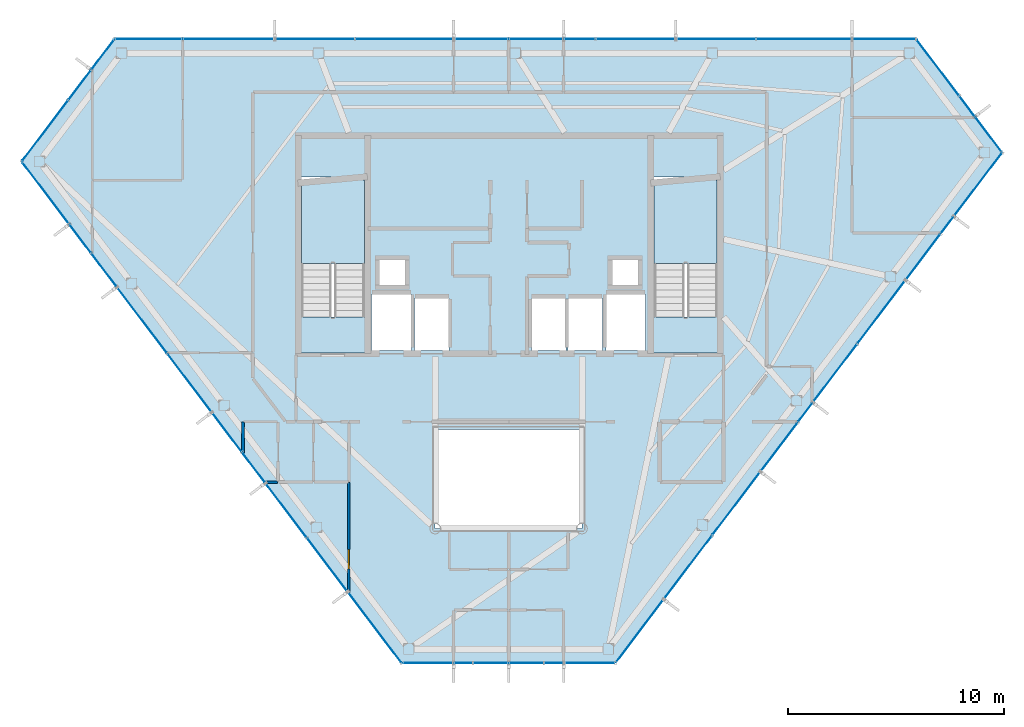
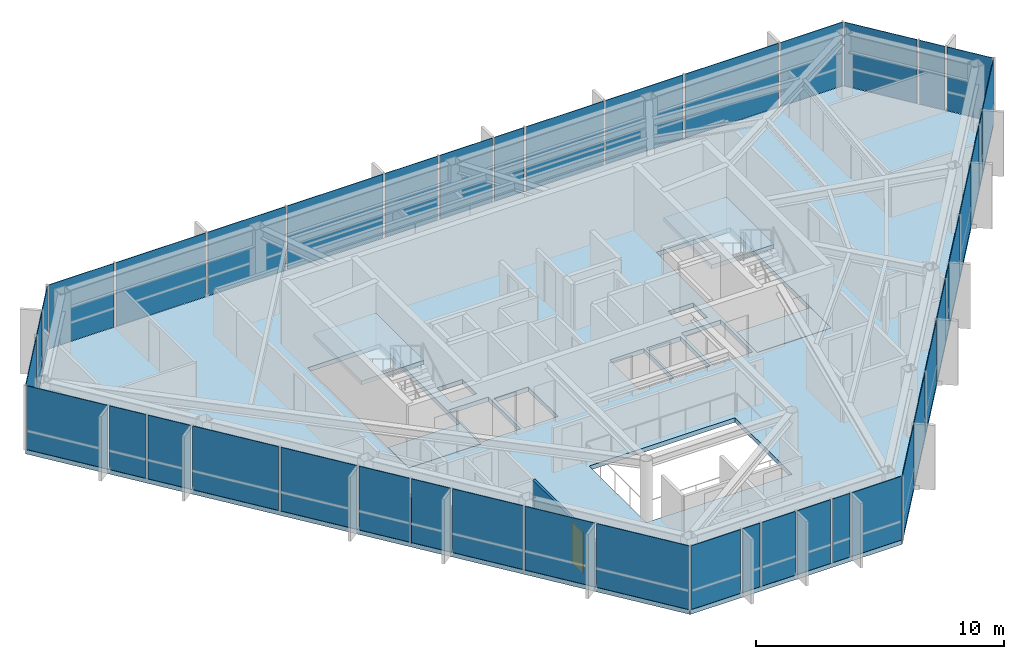
# One storey, part 21 of 26: 43 plates, 5 slabs, 3 walls, 1 door, 1 opening, 8 elements without a shape of their own.
"""IFC4 building model written with IfcOpenShell, lengths in metres."""

import ifcopenshell
import ifcopenshell.guid

model = None  # the IFC model being written
_history = None  # IfcOwnerHistory: only IFC2X3 demands one
_inside = {}  # id of a spatial element -> (the spatial element, [elements in it])
_under = {}  # id of a project, library or spatial element -> (it, [spatial elements below it])
_declared = {}  # id of a project -> (the project, [libraries it declares])
_typed = {}  # id of a type object -> (the type object, [elements of that type])
_made_of = {}  # id of a material, layer set ... -> (it, [elements and type objects made of it])


def new_model(schema):
    """Start an empty IFC model of exactly this schema.

    Asked for "IFC4X3", IfcOpenShell would pick the latest addendum, in which some entities
    have other attributes; the version numbers below select the first issue.
    IFC2X3 requires an IfcOwnerHistory on every rooted entity: one is made here for all.
    """
    global model, _history
    if schema == "IFC4X3":
        model = ifcopenshell.file(schema_version=(4, 3, 0, 0))
    else:
        model = ifcopenshell.file(schema=schema)
    _inside.clear()
    _under.clear()
    _declared.clear()
    _typed.clear()
    _made_of.clear()
    _history = None
    if model.schema == "IFC2X3":
        org = make("IfcOrganization", Name="unknown")
        user = make(
            "IfcPersonAndOrganization",
            ThePerson=make("IfcPerson", FamilyName="unknown"),
            TheOrganization=org,
        )
        app = make(
            "IfcApplication",
            ApplicationDeveloper=org,
            Version="unknown",
            ApplicationFullName="unknown",
            ApplicationIdentifier="unknown",
        )
        _history = make(
            "IfcOwnerHistory",
            OwningUser=user,
            OwningApplication=app,
            ChangeAction="ADDED",
            CreationDate=0,
        )
    return model


def make(cls, **values):
    """One entity of the class cls with the attributes given. An attribute that is None is left unset."""
    return model.create_entity(
        cls, **{name: value for name, value in values.items() if value is not None}
    )


def rooted(cls, **values):
    """An entity with a GlobalId (a new one), such as an element, a storey or a relation."""
    return make(cls, GlobalId=ifcopenshell.guid.new(), OwnerHistory=_history, **values)


def si_unit(unit_type, name, prefix=None):
    """IfcSIUnit, for example si_unit("LENGTHUNIT", "METRE", prefix="MILLI")."""
    return make("IfcSIUnit", UnitType=unit_type, Prefix=prefix, Name=name)


def assignment(units):
    """IfcUnitAssignment: the units of a project."""
    return None if units is None else make("IfcUnitAssignment", Units=units)


def point(xyz):
    """IfcCartesianPoint."""
    return None if xyz is None else make("IfcCartesianPoint", Coordinates=xyz)


def direction(xyz):
    """IfcDirection."""
    return None if xyz is None else make("IfcDirection", DirectionRatios=xyz)


def frame(location, z_axis=None, x_axis=None):
    """IfcAxis2Placement3D, a coordinate frame: its origin and axes. An axis left out is left unset."""
    return make(
        "IfcAxis2Placement3D",
        Location=point(location),
        Axis=direction(z_axis),
        RefDirection=direction(x_axis),
    )


def frame_2d(location, x_axis=None):
    """IfcAxis2Placement2D, a coordinate frame in the plane: its origin and x axis."""
    return make(
        "IfcAxis2Placement2D", Location=point(location), RefDirection=direction(x_axis)
    )


def origin():
    """The frame at (0, 0, 0) with its axes left unset."""
    return frame((0.0, 0.0, 0.0))


def origin_2d():
    """The frame at (0, 0) in the plane with its x axis left unset."""
    return frame_2d((0.0, 0.0))


def place(relative_to, where):
    """IfcLocalPlacement: puts the frame where relative to a parent placement (None: the world)."""
    return make(
        "IfcLocalPlacement", PlacementRelTo=relative_to, RelativePlacement=where
    )


def context(
    kind, dimensions, precision=None, world=None, true_north=None, identifier=None
):
    """IfcGeometricRepresentationContext, for example the 3D "Model" context."""
    return make(
        "IfcGeometricRepresentationContext",
        ContextIdentifier=identifier,
        ContextType=kind,
        CoordinateSpaceDimension=dimensions,
        Precision=precision,
        WorldCoordinateSystem=world,
        TrueNorth=true_north,
    )


def subcontext(parent, identifier, kind, view, scale=None):
    """IfcGeometricRepresentationSubContext, for example "Body" below "Model"."""
    return make(
        "IfcGeometricRepresentationSubContext",
        ContextIdentifier=identifier,
        ContextType=kind,
        ParentContext=parent,
        TargetScale=scale,
        TargetView=view,
    )


def project(units=None, contexts=None):
    """IfcProject with its units and contexts."""
    return rooted(
        "IfcProject",
        Name="project",
        RepresentationContexts=contexts,
        UnitsInContext=assignment(units),
    )


def spatial(cls, under=None, at=None, **own):
    """A site, building, storey or space (cls), placed at a placement, below another one or the project."""
    s = rooted(cls, ObjectPlacement=at, **own)
    if under is not None:
        _under.setdefault(under.id(), (under, []))[1].append(s)
    return s


def polyline(points):
    """IfcPolyline through the points."""
    return make("IfcPolyline", Points=[point(p) for p in points])


def profile(cls, at=None, kind="AREA", **sizes):
    """A parametric profile (cls). Its sizes go by their IFC names, for example OverallWidth=200.0."""
    return make(cls, ProfileType=kind, Position=at, **sizes)


def rectangle(**sizes):
    """IfcRectangleProfileDef."""
    return profile("IfcRectangleProfileDef", **sizes)


def outline(outer, holes=None, kind="AREA"):
    """IfcArbitraryClosedProfileDef: a profile drawn as a closed curve; with holes, ...WithVoids."""
    if holes is None:
        return make("IfcArbitraryClosedProfileDef", ProfileType=kind, OuterCurve=outer)
    return make(
        "IfcArbitraryProfileDefWithVoids",
        ProfileType=kind,
        OuterCurve=outer,
        InnerCurves=holes,
    )


def extrude(swept, where, along, depth):
    """IfcExtrudedAreaSolid: the profile swept, set in the frame where, extruded along a direction by depth."""
    return make(
        "IfcExtrudedAreaSolid",
        SweptArea=swept,
        Position=where,
        ExtrudedDirection=direction(along),
        Depth=depth,
    )


def shape(context_of_items, identifier, shape_type, items):
    """IfcShapeRepresentation: the items that make up one representation, for example the "Body"."""
    return make(
        "IfcShapeRepresentation",
        ContextOfItems=context_of_items,
        RepresentationIdentifier=identifier,
        RepresentationType=shape_type,
        Items=items,
    )


def material(Name=None, Category=None):
    """IfcMaterial."""
    return make("IfcMaterial", Name=Name, Category=Category)


def layer(
    of_material, thickness, ventilated=None, Name=None, Category=None, Priority=None
):
    """IfcMaterialLayer: one layer of a wall or slab, of a material (None: an air gap)."""
    return make(
        "IfcMaterialLayer",
        Material=of_material,
        LayerThickness=thickness,
        IsVentilated=ventilated,
        Name=Name,
        Category=Category,
        Priority=Priority,
    )


def layer_set(layers, Name=None):
    """IfcMaterialLayerSet."""
    return make("IfcMaterialLayerSet", MaterialLayers=layers, LayerSetName=Name)


def made_of(thing, what):
    """Note that an element or type object is made of a material, layer set ...; save() writes the relation."""
    if what is not None:
        _made_of.setdefault(what.id(), (what, []))[1].append(thing)
    return thing


def type_object(cls, material=None, **own):
    """A type object (cls), such as IfcWallType, which elements share."""
    return made_of(rooted(cls, **own), material)


def element(
    cls,
    number,
    at=None,
    inside=None,
    cuts=None,
    type_object=None,
    material=None,
    context=None,
    identifier="Body",
    shape_type=None,
    held_by="IfcProductDefinitionShape",
    body=None,
    shapes=None,
    **own,
):
    """One element of the class cls, such as IfcWall. Its Tag is "e" and its number.

    at: its placement. inside: the storey or other place that contains it. cuts: it is an
    opening in that element (IfcRelVoidsElement). A single representation is given by context,
    identifier, shape_type and body (its items); several are given by shapes. held_by: the class
    of the entity that holds the representations. save() writes the other relations.
    """
    e = rooted(cls, Tag="e%d" % number, ObjectPlacement=at, **own)
    if body is not None:
        shapes = [shape(context, identifier, shape_type, body)]
    if shapes is not None:
        e.Representation = make(held_by, Representations=shapes)
    if inside is not None:
        _inside.setdefault(inside.id(), (inside, []))[1].append(e)
    if cuts is not None:
        rooted(
            "IfcRelVoidsElement", RelatingBuildingElement=cuts, RelatedOpeningElement=e
        )
    if type_object is not None:
        _typed.setdefault(type_object.id(), (type_object, []))[1].append(e)
    return made_of(e, material)


def fill(opening, filler):
    """IfcRelFillsElement: the door or window that sits in an opening."""
    return rooted(
        "IfcRelFillsElement",
        RelatingOpeningElement=opening,
        RelatedBuildingElement=filler,
    )


def aggregate(whole, parts):
    """IfcRelAggregates: a whole, such as a stair, and the parts it consists of."""
    return rooted("IfcRelAggregates", RelatingObject=whole, RelatedObjects=parts)


def save(model, path):
    """Write the relations noted so far, then the file.

    IfcRelAggregates (storeys below a building ...), IfcRelContainedInSpatialStructure (elements
    in a storey), IfcRelDefinesByType, IfcRelAssociatesMaterial and IfcRelDeclares: one each for
    every whole, place, type object, material and project.
    """
    for whole, parts in _under.values():
        aggregate(whole, parts)
    for where, things in _inside.values():
        rooted(
            "IfcRelContainedInSpatialStructure",
            RelatedElements=things,
            RelatingStructure=where,
        )
    for kind, things in _typed.values():
        rooted("IfcRelDefinesByType", RelatedObjects=things, RelatingType=kind)
    for what, things in _made_of.values():
        rooted("IfcRelAssociatesMaterial", RelatedObjects=things, RelatingMaterial=what)
    for by, libraries in _declared.values():
        rooted("IfcRelDeclares", RelatingContext=by, RelatedDefinitions=libraries)
    model.write(path)


model = new_model("IFC4")

# Units and contexts
model_context = context("Model", 3, precision=1e-05, world=origin(), true_north=direction((0.0, 1.0)))
body_context = subcontext(model_context, "Body", "Model", "MODEL_VIEW")
ifc_project = project(units=[si_unit("LENGTHUNIT", "METRE"), si_unit("AREAUNIT", "SQUARE_METRE"), si_unit("VOLUMEUNIT", "CUBIC_METRE"), si_unit("PLANEANGLEUNIT", "RADIAN"), si_unit("MASSUNIT", "GRAM", prefix="KILO")], contexts=[model_context])

# Site, building, storey
site_placement = place(None, origin())
site = spatial("IfcSite", under=ifc_project, at=site_placement, CompositionType="ELEMENT")
building_placement = place(site_placement, origin())
building = spatial("IfcBuilding", under=site, at=building_placement, Name="Zarrinselat Tower", CompositionType="ELEMENT")
storey_placement = place(building_placement, frame((0.0, 0.0, 258.39990234375)))
storey = spatial("IfcBuildingStorey", under=building, at=storey_placement, Name="L65", CompositionType="ELEMENT", Elevation=258.39990234375)

# Curtain wall, plates
ifc_material_1 = material(Name="Extruded Aluminium Alloy EN AW-6063 T6", Category="aluminium")
ifc_layer_1 = layer(ifc_material_1, 0.169921875)
ifc_layer_set_1 = layer_set([ifc_layer_1], Name="Extruded Aluminium Alloy EN AW-6063 T6")
curtain_wall_type = type_object("IfcCurtainWallType", Name="CWS-RES", PredefinedType="NOTDEFINED", material=ifc_layer_set_1)
curtain_wall_1_placement = place(storey_placement, origin())
curtain_wall_1 = element("IfcCurtainWall", 1, at=curtain_wall_1_placement, inside=storey, type_object=curtain_wall_type, Name="L65 Unitised Curtain Wall CW-L65-E01", PredefinedType="NOTDEFINED")
ifc_material_2 = material(Name="Double Low-E Laminated Solar Glass", Category="glass")
ifc_layer_2 = layer(ifc_material_2, 0.028076171875)
ifc_layer_set_2 = layer_set([ifc_layer_2], Name="Double Low-E Laminated Solar Glass")
plate_type = type_object("IfcPlateType", Name="PLT-CW-GL28", PredefinedType="CURTAIN_PANEL", material=ifc_layer_set_2)
plate_1_placement = place(storey_placement, frame((55.787841796875, 47.86669921875, 0.02001953125), z_axis=(0.0, 0.0, 1.0), x_axis=(-1.0, 0.0, 0.0)))
plate_1 = element("IfcPlate", 2, at=plate_1_placement, type_object=plate_type, Name="CW-L65-E01 Vision Glass Panel 1", PredefinedType="CURTAIN_PANEL", context=body_context, shape_type="SweptSolid", body=[
    extrude(rectangle(XDim=2.87353515625, YDim=0.028076171875, at=origin_2d()), origin(), (0.0, 0.0, 1.0), 3.139892578125),
])
plate_2_placement = place(storey_placement, frame((52.07568359375, 47.86669921875, 0.02001953125), z_axis=(0.0, 0.0, 1.0), x_axis=(-1.0, 0.0, 0.0)))
plate_2 = element("IfcPlate", 3, at=plate_2_placement, type_object=plate_type, Name="CW-L65-E01 Vision Glass Panel 2", PredefinedType="CURTAIN_PANEL", context=body_context, shape_type="SweptSolid", body=[
    extrude(rectangle(XDim=4.3505859375, YDim=0.028076171875, at=origin_2d()), origin(), (0.0, 0.0, 1.0), 3.139892578125),
])
plate_3_placement = place(storey_placement, frame((47.994384765625, 47.86669921875, 0.02001953125), z_axis=(0.0, 0.0, 1.0), x_axis=(-1.0, 0.0, 0.0)))
plate_3 = element("IfcPlate", 4, at=plate_3_placement, type_object=plate_type, Name="CW-L65-E01 Vision Glass Panel 3", PredefinedType="CURTAIN_PANEL", context=body_context, shape_type="SweptSolid", body=[
    extrude(rectangle(XDim=3.612060546875, YDim=0.028076171875, at=origin_2d()), origin(), (0.0, 0.0, 1.0), 3.139892578125),
])
plate_4_placement = place(storey_placement, frame((44.281982421875, 47.86669921875, 0.02001953125), z_axis=(0.0, 0.0, 1.0), x_axis=(-1.0, 0.0, 0.0)))
plate_4 = element("IfcPlate", 5, at=plate_4_placement, type_object=plate_type, Name="CW-L65-E01 Vision Glass Panel 4", PredefinedType="CURTAIN_PANEL", context=body_context, shape_type="SweptSolid", body=[
    extrude(rectangle(XDim=3.612060546875, YDim=0.028076171875, at=origin_2d()), origin(), (0.0, 0.0, 1.0), 3.139892578125),
])
plate_5_placement = place(storey_placement, frame((41.68798828125, 47.86669921875, 0.02001953125), z_axis=(0.0, 0.0, 1.0), x_axis=(-1.0, 0.0, 0.0)))
plate_5 = element("IfcPlate", 6, at=plate_5_placement, type_object=plate_type, Name="CW-L65-E01 Vision Glass Panel 5", PredefinedType="CURTAIN_PANEL", context=body_context, shape_type="SweptSolid", body=[
    extrude(rectangle(XDim=1.376220703125, YDim=0.028076171875, at=origin_2d()), origin(), (0.0, 0.0, 1.0), 3.139892578125),
])
plate_6_placement = place(storey_placement, frame((39.675048828125, 47.86669921875, 0.02001953125), z_axis=(0.0, 0.0, 1.0), x_axis=(-1.0, 0.0, 0.0)))
plate_6 = element("IfcPlate", 7, at=plate_6_placement, type_object=plate_type, Name="CW-L65-E01 Vision Glass Panel 6", PredefinedType="CURTAIN_PANEL", context=body_context, shape_type="SweptSolid", body=[
    extrude(rectangle(XDim=2.449951171875, YDim=0.028076171875, at=origin_2d()), origin(), (0.0, 0.0, 1.0), 3.139892578125),
])
plate_7_placement = place(storey_placement, frame((37.125, 47.86669921875, 0.02001953125), z_axis=(0.0, 0.0, 1.0), x_axis=(-1.0, 0.0, 0.0)))
plate_7 = element("IfcPlate", 8, at=plate_7_placement, type_object=plate_type, Name="CW-L65-E01 Vision Glass Panel 7", PredefinedType="CURTAIN_PANEL", context=body_context, shape_type="SweptSolid", body=[
    extrude(rectangle(XDim=2.449951171875, YDim=0.028076171875, at=origin_2d()), origin(), (0.0, 0.0, 1.0), 3.139892578125),
])
plate_8_placement = place(storey_placement, frame((33.56982421875, 47.86669921875, 0.02001953125), z_axis=(0.0, 0.0, 1.0), x_axis=(-1.0, 0.0, 0.0)))
plate_8 = element("IfcPlate", 9, at=plate_8_placement, type_object=plate_type, Name="CW-L65-E01 Vision Glass Panel 8", PredefinedType="CURTAIN_PANEL", context=body_context, shape_type="SweptSolid", body=[
    extrude(rectangle(XDim=4.460205078125, YDim=0.028076171875, at=origin_2d()), origin(), (0.0, 0.0, 1.0), 3.139892578125),
])
plate_9_placement = place(storey_placement, frame((29.43359375, 47.86669921875, 0.02001953125), z_axis=(0.0, 0.0, 1.0), x_axis=(-1.0, 0.0, 0.0)))
plate_9 = element("IfcPlate", 10, at=plate_9_placement, type_object=plate_type, Name="CW-L65-E01 Vision Glass Panel 9", PredefinedType="CURTAIN_PANEL", context=body_context, shape_type="SweptSolid", body=[
    extrude(rectangle(XDim=3.612060546875, YDim=0.028076171875, at=origin_2d()), origin(), (0.0, 0.0, 1.0), 3.139892578125),
])
plate_10_placement = place(storey_placement, frame((25.440673828125, 47.86669921875, 0.02001953125), z_axis=(0.0, 0.0, 1.0), x_axis=(-1.0, 0.0, 0.0)))
plate_10 = element("IfcPlate", 11, at=plate_10_placement, type_object=plate_type, Name="CW-L65-E01 Vision Glass Panel 10", PredefinedType="CURTAIN_PANEL", context=body_context, shape_type="SweptSolid", body=[
    extrude(rectangle(XDim=4.173828125, YDim=0.028076171875, at=origin_2d()), origin(), (0.0, 0.0, 1.0), 3.139892578125),
])
plate_11_placement = place(storey_placement, frame((21.728515625, 47.86669921875, 0.02001953125), z_axis=(0.0, 0.0, 1.0), x_axis=(-1.0, 0.0, 0.0)))
plate_11 = element("IfcPlate", 12, at=plate_11_placement, type_object=plate_type, Name="CW-L65-E01 Vision Glass Panel 11", PredefinedType="CURTAIN_PANEL", context=body_context, shape_type="SweptSolid", body=[
    extrude(rectangle(XDim=3.05029296875, YDim=0.028076171875, at=origin_2d()), origin(), (0.0, 0.0, 1.0), 3.139892578125),
])
aggregate(curtain_wall_1, [plate_1, plate_2, plate_3, plate_4, plate_5, plate_6, plate_7, plate_8, plate_9, plate_10, plate_11])

curtain_wall_2_placement = place(storey_placement, origin())
curtain_wall_2 = element("IfcCurtainWall", 13, at=curtain_wall_2_placement, inside=storey, type_object=curtain_wall_type, Name="L65 Unitised Curtain Wall CW-L65-E02", PredefinedType="NOTDEFINED")
plate_12_placement = place(storey_placement, frame((19.613525390625, 47.154296875, 0.02001953125), z_axis=(0.0, 0.0, 1.0), x_axis=(-0.60385470922, -0.797094404793, 0.0)))
plate_12 = element("IfcPlate", 14, at=plate_12_placement, type_object=plate_type, Name="CW-L65-E02 Vision Glass Panel 1", PredefinedType="CURTAIN_PANEL", context=body_context, shape_type="SweptSolid", body=[
    extrude(rectangle(XDim=1.687744140625, YDim=0.028076171875, at=origin_2d()), origin(), (0.0, 0.0, 1.0), 3.139892578125),
])
plate_13_placement = place(storey_placement, frame((18.540283203125, 45.7373046875, 0.02001953125), z_axis=(0.0, 0.0, 1.0), x_axis=(-0.60385470922, -0.797094404793, 0.0)))
plate_13 = element("IfcPlate", 15, at=plate_13_placement, type_object=plate_type, Name="CW-L65-E02 Vision Glass Panel 2", PredefinedType="CURTAIN_PANEL", context=body_context, shape_type="SweptSolid", body=[
    extrude(rectangle(XDim=1.667236328125, YDim=0.028076171875, at=origin_2d()), origin(), (0.0, 0.0, 1.0), 3.139892578125),
])
plate_14_placement = place(storey_placement, frame((16.933349609375, 43.6162109375, 0.02001953125), z_axis=(0.0, 0.0, 1.0), x_axis=(-0.60385470922, -0.797094404793, 0.0)))
plate_14 = element("IfcPlate", 16, at=plate_14_placement, type_object=plate_type, Name="CW-L65-E02 Vision Glass Panel 3", PredefinedType="CURTAIN_PANEL", context=body_context, shape_type="SweptSolid", body=[
    extrude(rectangle(XDim=3.454833984375, YDim=0.028076171875, at=origin_2d()), origin(), (0.0, 0.0, 1.0), 3.139892578125),
])
aggregate(curtain_wall_2, [plate_12, plate_13, plate_14])

curtain_wall_3_placement = place(storey_placement, origin())
curtain_wall_3 = element("IfcCurtainWall", 17, at=curtain_wall_3_placement, inside=storey, type_object=curtain_wall_type, Name="L65 Unitised Curtain Wall CW-L65-E03", PredefinedType="NOTDEFINED")
plate_15_placement = place(storey_placement, frame((16.959716796875, 40.747802734375, 0.02001953125), z_axis=(0.0, 0.0, 1.0), x_axis=(0.603858282603, -0.797091697694, 0.0)))
plate_15 = element("IfcPlate", 18, at=plate_15_placement, type_object=plate_type, Name="CW-L65-E03 Vision Glass Panel 1", PredefinedType="CURTAIN_PANEL", context=body_context, shape_type="SweptSolid", body=[
    extrude(rectangle(XDim=3.542724609375, YDim=0.028076171875, at=origin_2d()), origin(), (0.0, 0.0, 1.0), 3.139892578125),
])
plate_16_placement = place(storey_placement, frame((18.566650390625, 38.626708984375, 0.02001953125), z_axis=(0.0, 0.0, 1.0), x_axis=(0.603858282603, -0.797091697694, 0.0)))
plate_16 = element("IfcPlate", 19, at=plate_16_placement, type_object=plate_type, Name="CW-L65-E03 Vision Glass Panel 2", PredefinedType="CURTAIN_PANEL", context=body_context, shape_type="SweptSolid", body=[
    extrude(rectangle(XDim=1.579345703125, YDim=0.028076171875, at=origin_2d()), origin(), (0.0, 0.0, 1.0), 3.139892578125),
])
plate_17_placement = place(storey_placement, frame((19.66650390625, 37.1748046875, 0.02001953125), z_axis=(0.0, 0.0, 1.0), x_axis=(0.603858282603, -0.797091697694, 0.0)))
plate_17 = element("IfcPlate", 20, at=plate_17_placement, type_object=plate_type, Name="CW-L65-E03 Vision Glass Panel 3", PredefinedType="CURTAIN_PANEL", context=body_context, shape_type="SweptSolid", body=[
    extrude(rectangle(XDim=1.86328125, YDim=0.028076171875, at=origin_2d()), origin(), (0.0, 0.0, 1.0), 3.139892578125),
])
plate_18_placement = place(storey_placement, frame((21.42626953125, 34.85205078125, 0.02001953125), z_axis=(0.0, 0.0, 1.0), x_axis=(0.603858282603, -0.797091697694, 0.0)))
plate_18 = element("IfcPlate", 21, at=plate_18_placement, type_object=plate_type, Name="CW-L65-E03 Vision Glass Panel 4", PredefinedType="CURTAIN_PANEL", context=body_context, shape_type="SweptSolid", body=[
    extrude(rectangle(XDim=3.764892578125, YDim=0.028076171875, at=origin_2d()), origin(), (0.0, 0.0, 1.0), 3.139892578125),
])
plate_19_placement = place(storey_placement, frame((23.6259765625, 31.948486328125, 0.02001953125), z_axis=(0.0, 0.0, 1.0), x_axis=(0.603858282603, -0.797091697694, 0.0)))
plate_19 = element("IfcPlate", 22, at=plate_19_placement, type_object=plate_type, Name="CW-L65-E03 Vision Glass Panel 5", PredefinedType="CURTAIN_PANEL", context=body_context, shape_type="SweptSolid", body=[
    extrude(rectangle(XDim=3.320556640625, YDim=0.028076171875, at=origin_2d()), origin(), (0.0, 0.0, 1.0), 3.139892578125),
])
plate_20_placement = place(storey_placement, frame((25.35546875, 29.66552734375, 0.02001953125), z_axis=(0.0, 0.0, 1.0), x_axis=(0.603858282603, -0.797091697694, 0.0)))
plate_20 = element("IfcPlate", 23, at=plate_20_placement, type_object=plate_type, Name="CW-L65-E03 Vision Glass Panel 6", PredefinedType="CURTAIN_PANEL", context=body_context, shape_type="SweptSolid", body=[
    extrude(rectangle(XDim=2.207763671875, YDim=0.028076171875, at=origin_2d()), origin(), (0.0, 0.0, 1.0), 3.139892578125),
])
plate_21_placement = place(storey_placement, frame((26.594482421875, 28.02978515625, 0.02001953125), z_axis=(0.0, 0.0, 1.0), x_axis=(0.603858282603, -0.797091697694, 0.0)))
plate_21 = element("IfcPlate", 24, at=plate_21_placement, type_object=plate_type, Name="CW-L65-E03 Vision Glass Panel 7", PredefinedType="CURTAIN_PANEL", context=body_context, shape_type="SweptSolid", body=[
    extrude(rectangle(XDim=1.696533203125, YDim=0.028076171875, at=origin_2d()), origin(), (0.0, 0.0, 1.0), 3.139892578125),
])
plate_22_placement = place(storey_placement, frame((28.097412109375, 26.0458984375, 0.02001953125), z_axis=(0.0, 0.0, 1.0), x_axis=(0.603858282603, -0.797091697694, 0.0)))
plate_22 = element("IfcPlate", 25, at=plate_22_placement, type_object=plate_type, Name="CW-L65-E03 Vision Glass Panel 8", PredefinedType="CURTAIN_PANEL", context=body_context, shape_type="SweptSolid", body=[
    extrude(rectangle(XDim=3.0810546875, YDim=0.028076171875, at=origin_2d()), origin(), (0.0, 0.0, 1.0), 3.139892578125),
])
plate_23_placement = place(storey_placement, frame((30.004150390625, 23.529296875, 0.02001953125), z_axis=(0.0, 0.0, 1.0), x_axis=(0.603858282603, -0.797091697694, 0.0)))
plate_23 = element("IfcPlate", 26, at=plate_23_placement, type_object=plate_type, Name="CW-L65-E03 Vision Glass Panel 9", PredefinedType="CURTAIN_PANEL", context=body_context, shape_type="SweptSolid", body=[
    extrude(rectangle(XDim=3.033447265625, YDim=0.028076171875, at=origin_2d()), origin(), (0.0, 0.0, 1.0), 3.139892578125),
])
plate_24_placement = place(storey_placement, frame((32.20361328125, 20.625732421875, 0.02001953125), z_axis=(0.0, 0.0, 1.0), x_axis=(0.603858282603, -0.797091697694, 0.0)))
plate_24 = element("IfcPlate", 27, at=plate_24_placement, type_object=plate_type, Name="CW-L65-E03 Vision Glass Panel 10", PredefinedType="CURTAIN_PANEL", context=body_context, shape_type="SweptSolid", body=[
    extrude(rectangle(XDim=4.0517578125, YDim=0.028076171875, at=origin_2d()), origin(), (0.0, 0.0, 1.0), 3.139892578125),
])
aggregate(curtain_wall_3, [plate_15, plate_16, plate_17, plate_18, plate_19, plate_20, plate_21, plate_22, plate_23, plate_24])

curtain_wall_4_placement = place(storey_placement, origin())
curtain_wall_4 = element("IfcCurtainWall", 28, at=curtain_wall_4_placement, inside=storey, type_object=curtain_wall_type, Name="L65 Unitised Curtain Wall CW-L65-E04", PredefinedType="NOTDEFINED")
plate_25_placement = place(storey_placement, frame((34.653564453125, 18.97119140625, 0.02001953125), z_axis=(0.0, 0.0, 1.0), x_axis=(1.0, 0.0, 0.0)))
plate_25 = element("IfcPlate", 29, at=plate_25_placement, type_object=plate_type, Name="CW-L65-E04 Vision Glass Panel 1", PredefinedType="CURTAIN_PANEL", context=body_context, shape_type="SweptSolid", body=[
    extrude(rectangle(XDim=2.292724609375, YDim=0.028076171875, at=origin_2d()), origin(), (0.0, 0.0, 1.0), 3.139892578125),
])
plate_26_placement = place(storey_placement, frame((36.30126953125, 18.97119140625, 0.02001953125), z_axis=(0.0, 0.0, 1.0), x_axis=(1.0, 0.0, 0.0)))
plate_26 = element("IfcPlate", 30, at=plate_26_placement, type_object=plate_type, Name="CW-L65-E04 Vision Glass Panel 2", PredefinedType="CURTAIN_PANEL", context=body_context, shape_type="SweptSolid", body=[
    extrude(rectangle(XDim=0.802490234375, YDim=0.028076171875, at=origin_2d()), origin(), (0.0, 0.0, 1.0), 3.139892578125),
])
plate_27_placement = place(storey_placement, frame((37.576171875, 18.97119140625, 0.02001953125), z_axis=(0.0, 0.0, 1.0), x_axis=(1.0, 0.0, 0.0)))
plate_27 = element("IfcPlate", 31, at=plate_27_placement, type_object=plate_type, Name="CW-L65-E04 Vision Glass Panel 3", PredefinedType="CURTAIN_PANEL", context=body_context, shape_type="SweptSolid", body=[
    extrude(rectangle(XDim=1.547607421875, YDim=0.028076171875, at=origin_2d()), origin(), (0.0, 0.0, 1.0), 3.139892578125),
])
plate_28_placement = place(storey_placement, frame((39.223876953125, 18.97119140625, 0.02001953125), z_axis=(0.0, 0.0, 1.0), x_axis=(1.0, 0.0, 0.0)))
plate_28 = element("IfcPlate", 32, at=plate_28_placement, type_object=plate_type, Name="CW-L65-E04 Vision Glass Panel 4", PredefinedType="CURTAIN_PANEL", context=body_context, shape_type="SweptSolid", body=[
    extrude(rectangle(XDim=1.547607421875, YDim=0.028076171875, at=origin_2d()), origin(), (0.0, 0.0, 1.0), 3.139892578125),
])
plate_29_placement = place(storey_placement, frame((40.498779296875, 18.97119140625, 0.02001953125), z_axis=(0.0, 0.0, 1.0), x_axis=(1.0, 0.0, 0.0)))
plate_29 = element("IfcPlate", 33, at=plate_29_placement, type_object=plate_type, Name="CW-L65-E04 Vision Glass Panel 5", PredefinedType="CURTAIN_PANEL", context=body_context, shape_type="SweptSolid", body=[
    extrude(rectangle(XDim=0.802490234375, YDim=0.028076171875, at=origin_2d()), origin(), (0.0, 0.0, 1.0), 3.139892578125),
])
plate_30_placement = place(storey_placement, frame((42.146240234375, 18.97119140625, 0.02001953125), z_axis=(0.0, 0.0, 1.0), x_axis=(1.0, 0.0, 0.0)))
plate_30 = element("IfcPlate", 34, at=plate_30_placement, type_object=plate_type, Name="CW-L65-E04 Vision Glass Panel 6", PredefinedType="CURTAIN_PANEL", context=body_context, shape_type="SweptSolid", body=[
    extrude(rectangle(XDim=2.292724609375, YDim=0.028076171875, at=origin_2d()), origin(), (0.0, 0.0, 1.0), 3.139892578125),
])
aggregate(curtain_wall_4, [plate_25, plate_26, plate_27, plate_28, plate_29, plate_30])

curtain_wall_5_placement = place(storey_placement, origin())
curtain_wall_5 = element("IfcCurtainWall", 35, at=curtain_wall_5_placement, inside=storey, type_object=curtain_wall_type, Name="L65 Unitised Curtain Wall CW-L65-E05", PredefinedType="NOTDEFINED")
plate_31_placement = place(storey_placement, frame((44.462158203125, 20.44873046875, 0.02001953125), z_axis=(0.0, 0.0, 1.0), x_axis=(0.603859570382, 0.7970907221, 0.0)))
plate_31 = element("IfcPlate", 36, at=plate_31_placement, type_object=plate_type, Name="CW-L65-E05 Vision Glass Panel 1", PredefinedType="CURTAIN_PANEL", context=body_context, shape_type="SweptSolid", body=[
    extrude(rectangle(XDim=3.607666015625, YDim=0.028076171875, at=origin_2d()), origin(), (0.0, 0.0, 1.0), 3.139892578125),
])
plate_32_placement = place(storey_placement, frame((46.701171875, 23.404052734375, 0.02001953125), z_axis=(0.0, 0.0, 1.0), x_axis=(0.603859570382, 0.7970907221, 0.0)))
plate_32 = element("IfcPlate", 37, at=plate_32_placement, type_object=plate_type, Name="CW-L65-E05 Vision Glass Panel 2", PredefinedType="CURTAIN_PANEL", context=body_context, shape_type="SweptSolid", body=[
    extrude(rectangle(XDim=3.607666015625, YDim=0.028076171875, at=origin_2d()), origin(), (0.0, 0.0, 1.0), 3.139892578125),
])
plate_33_placement = place(storey_placement, frame((48.93994140625, 26.359619140625, 0.02001953125), z_axis=(0.0, 0.0, 1.0), x_axis=(0.603859570382, 0.7970907221, 0.0)))
plate_33 = element("IfcPlate", 38, at=plate_33_placement, type_object=plate_type, Name="CW-L65-E05 Vision Glass Panel 3", PredefinedType="CURTAIN_PANEL", context=body_context, shape_type="SweptSolid", body=[
    extrude(rectangle(XDim=3.607666015625, YDim=0.028076171875, at=origin_2d()), origin(), (0.0, 0.0, 1.0), 3.139892578125),
])
plate_34_placement = place(storey_placement, frame((50.921875, 28.9755859375, 0.02001953125), z_axis=(0.0, 0.0, 1.0), x_axis=(0.603859570382, 0.7970907221, 0.0)))
plate_34 = element("IfcPlate", 39, at=plate_34_placement, type_object=plate_type, Name="CW-L65-E05 Vision Glass Panel 4", PredefinedType="CURTAIN_PANEL", context=body_context, shape_type="SweptSolid", body=[
    extrude(rectangle(XDim=2.756103515625, YDim=0.028076171875, at=origin_2d()), origin(), (0.0, 0.0, 1.0), 3.139892578125),
])
plate_35_placement = place(storey_placement, frame((52.1357421875, 30.577880859375, 0.02001953125), z_axis=(0.0, 0.0, 1.0), x_axis=(0.603859570382, 0.7970907221, 0.0)))
plate_35 = element("IfcPlate", 40, at=plate_35_placement, type_object=plate_type, Name="CW-L65-E05 Vision Glass Panel 5", PredefinedType="CURTAIN_PANEL", context=body_context, shape_type="SweptSolid", body=[
    extrude(rectangle(XDim=1.064208984375, YDim=0.028076171875, at=origin_2d()), origin(), (0.0, 0.0, 1.0), 3.139892578125),
])
plate_36_placement = place(storey_placement, frame((53.51220703125, 32.394775390625, 0.02001953125), z_axis=(0.0, 0.0, 1.0), x_axis=(0.603859570382, 0.7970907221, 0.0)))
plate_36 = element("IfcPlate", 41, at=plate_36_placement, type_object=plate_type, Name="CW-L65-E05 Vision Glass Panel 6", PredefinedType="CURTAIN_PANEL", context=body_context, shape_type="SweptSolid", body=[
    extrude(rectangle(XDim=3.294921875, YDim=0.028076171875, at=origin_2d()), origin(), (0.0, 0.0, 1.0), 3.139892578125),
])
plate_37_placement = place(storey_placement, frame((55.65673828125, 35.2255859375, 0.02001953125), z_axis=(0.0, 0.0, 1.0), x_axis=(0.603859570382, 0.7970907221, 0.0)))
plate_37 = element("IfcPlate", 42, at=plate_37_placement, type_object=plate_type, Name="CW-L65-E05 Vision Glass Panel 7", PredefinedType="CURTAIN_PANEL", context=body_context, shape_type="SweptSolid", body=[
    extrude(rectangle(XDim=3.607666015625, YDim=0.028076171875, at=origin_2d()), origin(), (0.0, 0.0, 1.0), 3.139892578125),
])
plate_38_placement = place(storey_placement, frame((57.589599609375, 37.777099609375, 0.02001953125), z_axis=(0.0, 0.0, 1.0), x_axis=(0.603859570382, 0.7970907221, 0.0)))
plate_38 = element("IfcPlate", 43, at=plate_38_placement, type_object=plate_type, Name="CW-L65-E05 Vision Glass Panel 8", PredefinedType="CURTAIN_PANEL", context=body_context, shape_type="SweptSolid", body=[
    extrude(rectangle(XDim=2.594482421875, YDim=0.028076171875, at=origin_2d()), origin(), (0.0, 0.0, 1.0), 3.139892578125),
])
plate_39_placement = place(storey_placement, frame((58.708984375, 39.254638671875, 0.02001953125), z_axis=(0.0, 0.0, 1.0), x_axis=(0.603859570382, 0.7970907221, 0.0)))
plate_39 = element("IfcPlate", 44, at=plate_39_placement, type_object=plate_type, Name="CW-L65-E05 Vision Glass Panel 9", PredefinedType="CURTAIN_PANEL", context=body_context, shape_type="SweptSolid", body=[
    extrude(rectangle(XDim=0.913330078125, YDim=0.028076171875, at=origin_2d()), origin(), (0.0, 0.0, 1.0), 3.139892578125),
])
plate_40_placement = place(storey_placement, frame((60.134521484375, 41.13623046875, 0.02001953125), z_axis=(0.0, 0.0, 1.0), x_axis=(0.603859570382, 0.7970907221, 0.0)))
plate_40 = element("IfcPlate", 45, at=plate_40_placement, type_object=plate_type, Name="CW-L65-E05 Vision Glass Panel 10", PredefinedType="CURTAIN_PANEL", context=body_context, shape_type="SweptSolid", body=[
    extrude(rectangle(XDim=3.607666015625, YDim=0.028076171875, at=origin_2d()), origin(), (0.0, 0.0, 1.0), 3.139892578125),
])
aggregate(curtain_wall_5, [plate_31, plate_32, plate_33, plate_34, plate_35, plate_36, plate_37, plate_38, plate_39, plate_40])

curtain_wall_6_placement = place(storey_placement, origin())
curtain_wall_6 = element("IfcCurtainWall", 46, at=curtain_wall_6_placement, inside=storey, type_object=curtain_wall_type, Name="L65 Unitised Curtain Wall CW-L65-E06", PredefinedType="NOTDEFINED")
plate_41_placement = place(storey_placement, frame((60.624755859375, 43.444580078125, 0.02001953125), z_axis=(0.0, 0.0, 1.0), x_axis=(-0.603858272322, 0.797091705482, 0.0)))
plate_41 = element("IfcPlate", 47, at=plate_41_placement, type_object=plate_type, Name="CW-L65-E06 Vision Glass Panel 1", PredefinedType="CURTAIN_PANEL", context=body_context, shape_type="SweptSolid", body=[
    extrude(rectangle(XDim=1.98388671875, YDim=0.028076171875, at=origin_2d()), origin(), (0.0, 0.0, 1.0), 3.139892578125),
])
plate_42_placement = place(storey_placement, frame((59.6298828125, 44.7578125, 0.02001953125), z_axis=(0.0, 0.0, 1.0), x_axis=(-0.603858272322, 0.797091705482, 0.0)))
plate_42 = element("IfcPlate", 48, at=plate_42_placement, type_object=plate_type, Name="CW-L65-E06 Vision Glass Panel 2", PredefinedType="CURTAIN_PANEL", context=body_context, shape_type="SweptSolid", body=[
    extrude(rectangle(XDim=1.111083984375, YDim=0.028076171875, at=origin_2d()), origin(), (0.0, 0.0, 1.0), 3.139892578125),
])
plate_43_placement = place(storey_placement, frame((58.269287109375, 46.553466796875, 0.02001953125), z_axis=(0.0, 0.0, 1.0), x_axis=(-0.603858272322, 0.797091705482, 0.0)))
plate_43 = element("IfcPlate", 49, at=plate_43_placement, type_object=plate_type, Name="CW-L65-E06 Vision Glass Panel 3", PredefinedType="CURTAIN_PANEL", context=body_context, shape_type="SweptSolid", body=[
    extrude(rectangle(XDim=3.195068359375, YDim=0.028076171875, at=origin_2d()), origin(), (0.0, 0.0, 1.0), 3.139892578125),
])
aggregate(curtain_wall_6, [plate_41, plate_42, plate_43])

# Slabs
ifc_material_3 = material(Name="Concrete C40/50", Category="concrete")
ifc_layer_3 = layer(ifc_material_3, 0.219970703125)
ifc_layer_set_3 = layer_set([ifc_layer_3], Name="Concrete C40/50")
slab_type_1 = type_object("IfcSlabType", Name="SLB-FLOOR-220-SL-RS220", PredefinedType="FLOOR", material=ifc_layer_set_3)
slab_1_placement = place(storey_placement, frame((0.0, 0.0, -0.219970703125)))
element("IfcSlab", 50, at=slab_1_placement, inside=storey, type_object=slab_type_1, Name="L65 Primary Structural Slab", PredefinedType="FLOOR", context=body_context, shape_type="SweptSolid", body=[
    extrude(outline(polyline([(57.274658203125, 47.86669921875), (20.1533203125, 47.86669921875), (15.860107421875, 42.199462890625), (33.457275390625, 18.97119140625), (43.3427734375, 18.97119140625), (61.25390625, 42.614013671875), (57.274658203125, 47.86669921875)]), holes=[polyline([(41.800048828125, 25.199951171875), (35.0, 25.199951171875), (35.0, 29.800048828125), (41.800048828125, 29.800048828125), (41.800048828125, 25.199951171875)]), polyline([(35.64990234375, 33.449951171875), (34.050048828125, 33.449951171875), (34.050048828125, 35.85009765625), (35.64990234375, 35.85009765625), (35.64990234375, 33.449951171875)]), polyline([(41.050048828125, 33.449951171875), (39.449951171875, 33.449951171875), (39.449951171875, 35.85009765625), (41.050048828125, 35.85009765625), (41.050048828125, 33.449951171875)]), polyline([(41.14990234375, 33.449951171875), (41.14990234375, 35.85009765625), (42.75, 35.85009765625), (42.75, 33.449951171875), (41.14990234375, 33.449951171875)]), polyline([(32.06005859375, 33.449951171875), (32.06005859375, 36.050048828125), (33.89990234375, 36.050048828125), (33.89990234375, 33.449951171875), (32.06005859375, 33.449951171875)]), polyline([(44.739990234375, 33.449951171875), (42.89990234375, 33.449951171875), (42.89990234375, 36.050048828125), (44.739990234375, 36.050048828125), (44.739990234375, 33.449951171875)]), polyline([(33.60009765625, 36.47998046875), (32.419921875, 36.47998046875), (32.419921875, 37.639892578125), (33.60009765625, 37.639892578125), (33.60009765625, 36.47998046875)]), polyline([(44.3798828125, 36.47998046875), (43.199951171875, 36.47998046875), (43.199951171875, 37.639892578125), (44.3798828125, 37.639892578125), (44.3798828125, 36.47998046875)]), polyline([(31.985107421875, 33.324951171875), (28.60498046875, 33.324951171875), (28.60498046875, 41.47509765625), (31.985107421875, 41.47509765625), (31.985107421875, 33.324951171875)]), polyline([(48.324951171875, 33.324951171875), (44.875, 33.324951171875), (44.875, 41.47509765625), (48.324951171875, 41.47509765625), (48.324951171875, 33.324951171875)])]), origin(), (0.0, 0.0, 1.0), 0.219970703125),
])
slab_2_placement = place(storey_placement, frame((0.0, 0.0, -0.219970703125)))
element("IfcSlab", 51, at=slab_2_placement, inside=storey, type_object=slab_type_1, Name="L65 Stair ST-1-FL1 Structural Floor Landing", PredefinedType="FLOOR", context=body_context, shape_type="SweptSolid", body=[
    extrude(outline(polyline([(31.97998046875, 33.330078125), (31.97998046875, 35.0), (28.610107421875, 35.0), (28.610107421875, 33.330078125), (31.97998046875, 33.330078125)])), origin(), (0.0, 0.0, 1.0), 0.219970703125),
])
slab_3_placement = place(storey_placement, frame((0.0, 0.0, -0.219970703125)))
element("IfcSlab", 52, at=slab_3_placement, inside=storey, type_object=slab_type_1, Name="L65 Stair ST-2-FL1 Structural Floor Landing", PredefinedType="FLOOR", context=body_context, shape_type="SweptSolid", body=[
    extrude(outline(polyline([(48.320068359375, 33.330078125), (48.320068359375, 35.0), (44.8798828125, 35.0), (44.8798828125, 33.330078125), (48.320068359375, 33.330078125)])), origin(), (0.0, 0.0, 1.0), 0.219970703125),
])

# Stair, slab
ifc_material_4 = material(Name="Concrete C40/50", Category="concrete")
stair_type = type_object("IfcStairType", Name="STR-CORE-155", PredefinedType="HALF_TURN_STAIR", material=ifc_material_4)
stair_1_placement = place(storey_placement, origin())
stair_1 = element("IfcStair", 53, at=stair_1_placement, inside=storey, type_object=stair_type, Name="L65 Core Exit Stair 1", PredefinedType="HALF_TURN_STAIR")
ifc_material_5 = material(Name="Concrete C40/50", Category="concrete")
ifc_layer_4 = layer(ifc_material_5, 0.18994140625)
ifc_layer_set_4 = layer_set([ifc_layer_4], Name="Concrete C40/50")
slab_type_2 = type_object("IfcSlabType", Name="SLB-LND-190", PredefinedType="LANDING", material=ifc_layer_set_4)
slab_4_placement = place(storey_placement, frame((0.0, 0.0, 1.5)))
slab_4 = element("IfcSlab", 54, at=slab_4_placement, type_object=slab_type_2, Name="ST-1 landing 1", PredefinedType="LANDING", context=body_context, shape_type="SweptSolid", body=[
    extrude(outline(polyline([(31.719970703125, 37.47998046875), (31.719970703125, 41.35009765625), (28.800048828125, 41.35009765625), (28.800048828125, 37.47998046875), (31.719970703125, 37.47998046875)])), origin(), (0.0, 0.0, 1.0), 0.2001953125),
])
aggregate(stair_1, [slab_4])

stair_2_placement = place(storey_placement, origin())
stair_2 = element("IfcStair", 55, at=stair_2_placement, inside=storey, type_object=stair_type, Name="L65 Core Exit Stair 2", PredefinedType="HALF_TURN_STAIR")
slab_5_placement = place(storey_placement, frame((0.0, 0.0, 1.5)))
slab_5 = element("IfcSlab", 56, at=slab_5_placement, type_object=slab_type_2, Name="ST-2 landing 1", PredefinedType="LANDING", context=body_context, shape_type="SweptSolid", body=[
    extrude(outline(polyline([(48.06005859375, 37.47998046875), (48.06005859375, 41.35009765625), (45.139892578125, 41.35009765625), (45.139892578125, 37.47998046875), (48.06005859375, 37.47998046875)])), origin(), (0.0, 0.0, 1.0), 0.2001953125),
])
aggregate(stair_2, [slab_5])

# Walls
ifc_material_6 = material(Name="Fire-Rated Gypsum Board Partition", Category="gypsum")
ifc_layer_5 = layer(ifc_material_6, 0.1201171875)
ifc_layer_set_5 = layer_set([ifc_layer_5], Name="Fire-Rated Gypsum Board Partition")
wall_type = type_object("IfcWallType", Name="WAL-PART-STD", PredefinedType="PARTITIONING", material=ifc_layer_set_5)
wall_1_placement = place(storey_placement, frame((27.12451171875, 27.35009765625, 0.0), z_axis=(0.0, 0.0, 1.0), x_axis=(1.0, 0.0, 0.0)))
element("IfcWall", 57, at=wall_1_placement, inside=storey, type_object=wall_type, Name="L65 Partition Wall 44", PredefinedType="PARTITIONING", context=body_context, shape_type="SweptSolid", body=[
    extrude(rectangle(XDim=0.58544921875, YDim=0.1201171875, at=frame_2d((0.292724609375, 0.0))), origin(), (0.0, 0.0, 1.0), 2.235107421875),
])
wall_2_placement = place(storey_placement, frame((26.10009765625, 28.69775390625, 0.0), z_axis=(0.0, 0.0, 1.0), x_axis=(0.0, 1.0, 0.0)))
element("IfcWall", 58, at=wall_2_placement, inside=storey, type_object=wall_type, Name="L65 Partition Wall 45", PredefinedType="PARTITIONING", context=body_context, shape_type="SweptSolid", body=[
    extrude(rectangle(XDim=1.43212890625, YDim=0.1201171875, at=frame_2d((0.716064453125, 0.0))), origin(), (0.0, 0.0, 1.0), 2.235107421875),
])

# Wall, opening, door
wall_3_placement = place(storey_placement, frame((30.998046875, 22.232421875, 0.0), z_axis=(0.0, 0.0, 1.0), x_axis=(0.0, 1.0, 0.0)))
wall_3 = element("IfcWall", 59, at=wall_3_placement, inside=storey, type_object=wall_type, Name="L65 Partition Wall 51", PredefinedType="PARTITIONING", context=body_context, shape_type="SweptSolid", body=[
    extrude(rectangle(XDim=5.09765625, YDim=0.1201171875, at=frame_2d((2.548828125, 0.0))), origin(), (0.0, 0.0, 1.0), 2.235107421875),
])
opening_placement = place(wall_3_placement, frame((1.098876953125, 0.0, 0.0)))
opening = element("IfcOpeningElement", 60, at=opening_placement, cuts=wall_3, Name="Opening ID-05", PredefinedType="OPENING", context=body_context, shape_type="SweptSolid", body=[
    extrude(rectangle(XDim=0.89990234375, YDim=2.050048828125, at=frame_2d((0.449951171875, 1.02490234375))), frame((0.0, 0.070068359375, 0.0), z_axis=(0.0, -1.0, 0.0), x_axis=(1.0, 0.0, 0.0)), (0.0, 0.0, 1.0), 0.14013671875),
])
ifc_material_7 = material(Name="Extruded Aluminium Alloy EN AW-6063 T6", Category="aluminium")
door_type = type_object("IfcDoorType", Name="DR-INT-STD-920", OperationType="NOTDEFINED", PredefinedType="DOOR", material=ifc_material_7)
door_placement = place(opening_placement, origin())
door = element("IfcDoor", 61, at=door_placement, inside=storey, type_object=door_type, Name="L65 Interior Door P51", OperationType="SINGLE_SWING_RIGHT", OverallHeight=2.050048828125, OverallWidth=0.89990234375, PredefinedType="DOOR", context=body_context, shape_type="SweptSolid", body=[
    extrude(rectangle(XDim=0.89990234375, YDim=2.050048828125, at=frame_2d((0.449951171875, 1.02490234375))), frame((0.0, 0.02490234375, 0.0), z_axis=(0.0, -1.0, 0.0), x_axis=(1.0, 0.0, 0.0)), (0.0, 0.0, 1.0), 0.050048828125),
])
fill(opening, door)

save(model, "model.ifc")
